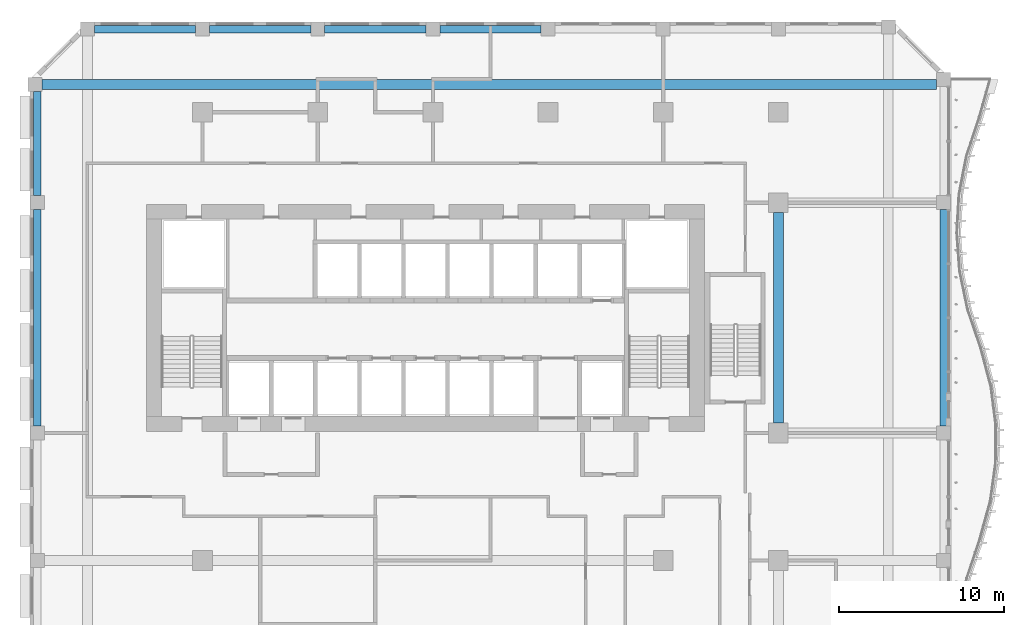
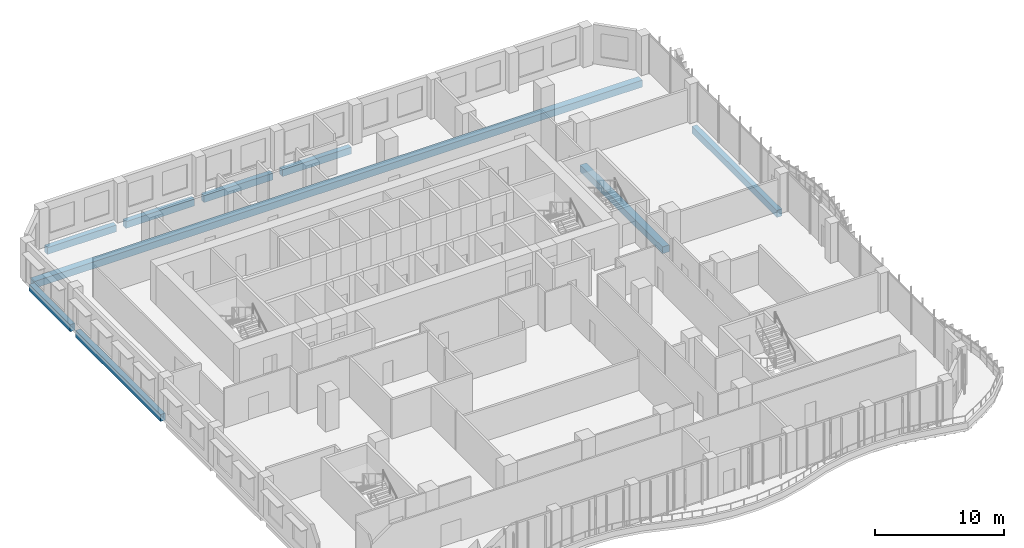
# One storey, part 7 of 26: 9 beams.
"""IFC4 building model written with IfcOpenShell, lengths in metres."""

import ifcopenshell
import ifcopenshell.guid

model = None  # the IFC model being written
_history = None  # IfcOwnerHistory: only IFC2X3 demands one
_inside = {}  # id of a spatial element -> (the spatial element, [elements in it])
_under = {}  # id of a project, library or spatial element -> (it, [spatial elements below it])
_declared = {}  # id of a project -> (the project, [libraries it declares])
_typed = {}  # id of a type object -> (the type object, [elements of that type])
_made_of = {}  # id of a material, layer set ... -> (it, [elements and type objects made of it])


def new_model(schema):
    """Start an empty IFC model of exactly this schema.

    Asked for "IFC4X3", IfcOpenShell would pick the latest addendum, in which some entities
    have other attributes; the version numbers below select the first issue.
    IFC2X3 requires an IfcOwnerHistory on every rooted entity: one is made here for all.
    """
    global model, _history
    if schema == "IFC4X3":
        model = ifcopenshell.file(schema_version=(4, 3, 0, 0))
    else:
        model = ifcopenshell.file(schema=schema)
    _inside.clear()
    _under.clear()
    _declared.clear()
    _typed.clear()
    _made_of.clear()
    _history = None
    if model.schema == "IFC2X3":
        org = make("IfcOrganization", Name="unknown")
        user = make(
            "IfcPersonAndOrganization",
            ThePerson=make("IfcPerson", FamilyName="unknown"),
            TheOrganization=org,
        )
        app = make(
            "IfcApplication",
            ApplicationDeveloper=org,
            Version="unknown",
            ApplicationFullName="unknown",
            ApplicationIdentifier="unknown",
        )
        _history = make(
            "IfcOwnerHistory",
            OwningUser=user,
            OwningApplication=app,
            ChangeAction="ADDED",
            CreationDate=0,
        )
    return model


def make(cls, **values):
    """One entity of the class cls with the attributes given. An attribute that is None is left unset."""
    return model.create_entity(
        cls, **{name: value for name, value in values.items() if value is not None}
    )


def rooted(cls, **values):
    """An entity with a GlobalId (a new one), such as an element, a storey or a relation."""
    return make(cls, GlobalId=ifcopenshell.guid.new(), OwnerHistory=_history, **values)


def si_unit(unit_type, name, prefix=None):
    """IfcSIUnit, for example si_unit("LENGTHUNIT", "METRE", prefix="MILLI")."""
    return make("IfcSIUnit", UnitType=unit_type, Prefix=prefix, Name=name)


def assignment(units):
    """IfcUnitAssignment: the units of a project."""
    return None if units is None else make("IfcUnitAssignment", Units=units)


def point(xyz):
    """IfcCartesianPoint."""
    return None if xyz is None else make("IfcCartesianPoint", Coordinates=xyz)


def direction(xyz):
    """IfcDirection."""
    return None if xyz is None else make("IfcDirection", DirectionRatios=xyz)


def frame(location, z_axis=None, x_axis=None):
    """IfcAxis2Placement3D, a coordinate frame: its origin and axes. An axis left out is left unset."""
    return make(
        "IfcAxis2Placement3D",
        Location=point(location),
        Axis=direction(z_axis),
        RefDirection=direction(x_axis),
    )


def frame_2d(location, x_axis=None):
    """IfcAxis2Placement2D, a coordinate frame in the plane: its origin and x axis."""
    return make(
        "IfcAxis2Placement2D", Location=point(location), RefDirection=direction(x_axis)
    )


def origin():
    """The frame at (0, 0, 0) with its axes left unset."""
    return frame((0.0, 0.0, 0.0))


def origin_2d():
    """The frame at (0, 0) in the plane with its x axis left unset."""
    return frame_2d((0.0, 0.0))


def place(relative_to, where):
    """IfcLocalPlacement: puts the frame where relative to a parent placement (None: the world)."""
    return make(
        "IfcLocalPlacement", PlacementRelTo=relative_to, RelativePlacement=where
    )


def context(
    kind, dimensions, precision=None, world=None, true_north=None, identifier=None
):
    """IfcGeometricRepresentationContext, for example the 3D "Model" context."""
    return make(
        "IfcGeometricRepresentationContext",
        ContextIdentifier=identifier,
        ContextType=kind,
        CoordinateSpaceDimension=dimensions,
        Precision=precision,
        WorldCoordinateSystem=world,
        TrueNorth=true_north,
    )


def subcontext(parent, identifier, kind, view, scale=None):
    """IfcGeometricRepresentationSubContext, for example "Body" below "Model"."""
    return make(
        "IfcGeometricRepresentationSubContext",
        ContextIdentifier=identifier,
        ContextType=kind,
        ParentContext=parent,
        TargetScale=scale,
        TargetView=view,
    )


def project(units=None, contexts=None):
    """IfcProject with its units and contexts."""
    return rooted(
        "IfcProject",
        Name="project",
        RepresentationContexts=contexts,
        UnitsInContext=assignment(units),
    )


def spatial(cls, under=None, at=None, **own):
    """A site, building, storey or space (cls), placed at a placement, below another one or the project."""
    s = rooted(cls, ObjectPlacement=at, **own)
    if under is not None:
        _under.setdefault(under.id(), (under, []))[1].append(s)
    return s


def profile(cls, at=None, kind="AREA", **sizes):
    """A parametric profile (cls). Its sizes go by their IFC names, for example OverallWidth=200.0."""
    return make(cls, ProfileType=kind, Position=at, **sizes)


def rectangle(**sizes):
    """IfcRectangleProfileDef."""
    return profile("IfcRectangleProfileDef", **sizes)


def extrude(swept, where, along, depth):
    """IfcExtrudedAreaSolid: the profile swept, set in the frame where, extruded along a direction by depth."""
    return make(
        "IfcExtrudedAreaSolid",
        SweptArea=swept,
        Position=where,
        ExtrudedDirection=direction(along),
        Depth=depth,
    )


def shape(context_of_items, identifier, shape_type, items):
    """IfcShapeRepresentation: the items that make up one representation, for example the "Body"."""
    return make(
        "IfcShapeRepresentation",
        ContextOfItems=context_of_items,
        RepresentationIdentifier=identifier,
        RepresentationType=shape_type,
        Items=items,
    )


def source(mapping_origin, context_of_items, identifier, shape_type, items):
    """IfcRepresentationMap: a shape defined once, which mapped items show again and again."""
    return make(
        "IfcRepresentationMap",
        MappingOrigin=mapping_origin,
        MappedRepresentation=shape(context_of_items, identifier, shape_type, items),
    )


def transform(
    local_origin,
    x_axis=None,
    y_axis=None,
    z_axis=None,
    scale=None,
    scale2=None,
    scale3=None,
    uniform=True,
):
    """IfcCartesianTransformationOperator3D, or its non-uniform kind. x_axis, y_axis, z_axis: its Axis1, 2, 3."""
    if uniform:
        return make(
            "IfcCartesianTransformationOperator3D",
            Axis1=direction(x_axis),
            Axis2=direction(y_axis),
            LocalOrigin=point(local_origin),
            Scale=scale,
            Axis3=direction(z_axis),
        )
    return make(
        "IfcCartesianTransformationOperator3DnonUniform",
        Axis1=direction(x_axis),
        Axis2=direction(y_axis),
        LocalOrigin=point(local_origin),
        Scale=scale,
        Axis3=direction(z_axis),
        Scale2=scale2,
        Scale3=scale3,
    )


def mapped(mapping_source, mapping_target):
    """IfcMappedItem: shows the shape of a source again, moved by a transform."""
    return make(
        "IfcMappedItem", MappingSource=mapping_source, MappingTarget=mapping_target
    )


def material(Name=None, Category=None):
    """IfcMaterial."""
    return make("IfcMaterial", Name=Name, Category=Category)


def material_profile(
    of_material, cross_section, Name=None, Category=None, Priority=None
):
    """IfcMaterialProfile: a cross section and its material."""
    return make(
        "IfcMaterialProfile",
        Name=Name,
        Material=of_material,
        Profile=cross_section,
        Priority=Priority,
        Category=Category,
    )


def profile_set(profiles, Name=None, composite=None):
    """IfcMaterialProfileSet."""
    return make(
        "IfcMaterialProfileSet",
        Name=Name,
        MaterialProfiles=profiles,
        CompositeProfile=composite,
    )


def made_of(thing, what):
    """Note that an element or type object is made of a material, layer set ...; save() writes the relation."""
    if what is not None:
        _made_of.setdefault(what.id(), (what, []))[1].append(thing)
    return thing


def type_object(cls, material=None, **own):
    """A type object (cls), such as IfcWallType, which elements share."""
    return made_of(rooted(cls, **own), material)


def element(
    cls,
    number,
    at=None,
    inside=None,
    cuts=None,
    type_object=None,
    material=None,
    context=None,
    identifier="Body",
    shape_type=None,
    held_by="IfcProductDefinitionShape",
    body=None,
    shapes=None,
    **own,
):
    """One element of the class cls, such as IfcWall. Its Tag is "e" and its number.

    at: its placement. inside: the storey or other place that contains it. cuts: it is an
    opening in that element (IfcRelVoidsElement). A single representation is given by context,
    identifier, shape_type and body (its items); several are given by shapes. held_by: the class
    of the entity that holds the representations. save() writes the other relations.
    """
    e = rooted(cls, Tag="e%d" % number, ObjectPlacement=at, **own)
    if body is not None:
        shapes = [shape(context, identifier, shape_type, body)]
    if shapes is not None:
        e.Representation = make(held_by, Representations=shapes)
    if inside is not None:
        _inside.setdefault(inside.id(), (inside, []))[1].append(e)
    if cuts is not None:
        rooted(
            "IfcRelVoidsElement", RelatingBuildingElement=cuts, RelatedOpeningElement=e
        )
    if type_object is not None:
        _typed.setdefault(type_object.id(), (type_object, []))[1].append(e)
    return made_of(e, material)


def aggregate(whole, parts):
    """IfcRelAggregates: a whole, such as a stair, and the parts it consists of."""
    return rooted("IfcRelAggregates", RelatingObject=whole, RelatedObjects=parts)


def save(model, path):
    """Write the relations noted so far, then the file.

    IfcRelAggregates (storeys below a building ...), IfcRelContainedInSpatialStructure (elements
    in a storey), IfcRelDefinesByType, IfcRelAssociatesMaterial and IfcRelDeclares: one each for
    every whole, place, type object, material and project.
    """
    for whole, parts in _under.values():
        aggregate(whole, parts)
    for where, things in _inside.values():
        rooted(
            "IfcRelContainedInSpatialStructure",
            RelatedElements=things,
            RelatingStructure=where,
        )
    for kind, things in _typed.values():
        rooted("IfcRelDefinesByType", RelatedObjects=things, RelatingType=kind)
    for what, things in _made_of.values():
        rooted("IfcRelAssociatesMaterial", RelatedObjects=things, RelatingMaterial=what)
    for by, libraries in _declared.values():
        rooted("IfcRelDeclares", RelatingContext=by, RelatedDefinitions=libraries)
    model.write(path)


model = new_model("IFC4")

# Units and contexts
model_context = context("Model", 3, precision=1e-05, world=origin(), true_north=direction((0.0, 1.0)))
body_context = subcontext(model_context, "Body", "Model", "MODEL_VIEW")
ifc_project = project(units=[si_unit("LENGTHUNIT", "METRE"), si_unit("AREAUNIT", "SQUARE_METRE"), si_unit("VOLUMEUNIT", "CUBIC_METRE"), si_unit("PLANEANGLEUNIT", "RADIAN"), si_unit("MASSUNIT", "GRAM", prefix="KILO")], contexts=[model_context])

# Site, building, storey
site_placement = place(None, origin())
site = spatial("IfcSite", under=ifc_project, at=site_placement, CompositionType="ELEMENT")
building_placement = place(site_placement, origin())
building = spatial("IfcBuilding", under=site, at=building_placement, Name="Kilnfold Tower and Market Hall", CompositionType="ELEMENT")
storey_placement = place(building_placement, frame((0.0, 0.0, 108.60009765625)))
storey = spatial("IfcBuildingStorey", under=building, at=storey_placement, Name="L25", CompositionType="ELEMENT", Elevation=108.60009765625)

# Beams
ifc_material_1 = material(Name="Concrete C45", Category="concrete")
ifc_material_profile_1 = material_profile(ifc_material_1, rectangle(XDim=0.449951171875, YDim=0.64990234375, at=origin_2d()), Name="RC 450x650")
ifc_profile_set_1 = profile_set([ifc_material_profile_1], Name="Concrete C45")
beam_type_1 = type_object("IfcBeamType", Name="EDGE BEAM 450X650 C45", PredefinedType="BEAM", material=ifc_profile_set_1)
shared_shape_1 = source(origin(), body_context, "Body", "SweptSolid", [
    extrude(rectangle(XDim=0.449951171875, YDim=0.64990234375, at=origin_2d()), origin(), (0.0, 0.0, 1.0), 6.14990234375),
])
for number, where, z_axis, x_axis, name in (
    (1, (-19.074951171875, 32.550048828125, -0.60498046875), (1.0, 0.0, 0.0), (0.0, 1.0, 0.0), "Beam EB650-B3.67"),
    (2, (-12.074951171875, 32.550048828125, -0.60498046875), (1.0, 0.0, 0.0), (0.0, 1.0, 0.0), "Beam EB650-B3.68"),
    (3, (-5.074951171875, 32.550048828125, -0.60498046875), (1.0, 0.0, 0.0), (0.0, 1.0, 0.0), "Beam EB650-B3.69"),
    (4, (1.925048828125, 32.550048828125, -0.60498046875), (1.0, 0.0, 0.0), (0.0, 1.0, 0.0), "Beam EB650-B3.70"),
):
    element("IfcBeam", number, at=place(storey_placement, frame(where, z_axis=z_axis, x_axis=x_axis)), inside=storey, type_object=beam_type_1, Name=name, PredefinedType="BEAM", context=body_context, shape_type="MappedRepresentation", body=[
        mapped(shared_shape_1, transform((0.0, 0.0, 0.0))),
    ])
ifc_material_2 = material(Name="Concrete C45", Category="concrete")
ifc_material_profile_2 = material_profile(ifc_material_2, rectangle(XDim=0.60009765625, YDim=0.64990234375, at=origin_2d()), Name="RC 600x650")
ifc_profile_set_2 = profile_set([ifc_material_profile_2], Name="Concrete C45")
beam_type_2 = type_object("IfcBeamType", Name="BEAM 600X650 C45", PredefinedType="BEAM", material=ifc_profile_set_2)
shared_shape_2 = source(origin(), body_context, "Body", "SweptSolid", [
    extrude(rectangle(XDim=0.60009765625, YDim=0.64990234375, at=origin_2d()), origin(), (0.0, 0.0, 1.0), 54.3818359375),
])
beam_1_placement = place(storey_placement, frame((-22.2568359375, 29.179931640625, -0.60498046875), z_axis=(1.0, 0.0, 0.0), x_axis=(0.0, 1.0, 0.0)))
element("IfcBeam", 5, at=beam_1_placement, inside=storey, type_object=beam_type_2, Name="Beam BB650-B3.66", PredefinedType="BEAM", context=body_context, shape_type="MappedRepresentation", body=[
    mapped(shared_shape_2, transform((0.0, 0.0, 0.0))),
])
shared_shape_3 = source(origin(), body_context, "Body", "SweptSolid", [
    extrude(rectangle(XDim=0.449951171875, YDim=0.64990234375, at=origin_2d()), origin(), (0.0, 0.0, 1.0), 13.14990234375),
])
for number, where, z_axis, x_axis, name in (
    (6, (-22.550048828125, 8.425048828125, -0.60498046875), (0.0, 1.0, 0.0), (-1.0, 0.0, 0.0), "Beam EB650-B3.77"),
    (7, (32.550048828125, 8.425048828125, -0.60498046875), (0.0, 1.0, 0.0), (-1.0, 0.0, 0.0), "Beam EB650-B3.86"),
):
    element("IfcBeam", number, at=place(storey_placement, frame(where, z_axis=z_axis, x_axis=x_axis)), inside=storey, type_object=beam_type_1, Name=name, PredefinedType="BEAM", context=body_context, shape_type="MappedRepresentation", body=[
        mapped(shared_shape_3, transform((0.0, 0.0, 0.0))),
    ])
shared_shape_4 = source(origin(), body_context, "Body", "SweptSolid", [
    extrude(rectangle(XDim=0.449951171875, YDim=0.64990234375, at=origin_2d()), origin(), (0.0, 0.0, 1.0), 6.331787109375),
])
beam_2_placement = place(storey_placement, frame((-22.550048828125, 22.425048828125, -0.60498046875), z_axis=(0.0, 1.0, 0.0), x_axis=(-1.0, 0.0, 0.0)))
element("IfcBeam", 8, at=beam_2_placement, inside=storey, type_object=beam_type_1, Name="Beam EB650-B3.78", PredefinedType="BEAM", context=body_context, shape_type="MappedRepresentation", body=[
    mapped(shared_shape_4, transform((0.0, 0.0, 0.0))),
])
shared_shape_5 = source(origin(), body_context, "Body", "SweptSolid", [
    extrude(rectangle(XDim=0.60009765625, YDim=0.64990234375, at=origin_2d()), origin(), (0.0, 0.0, 1.0), 12.7998046875),
])
beam_3_placement = place(storey_placement, frame((22.5, 8.60009765625, -0.60498046875), z_axis=(0.0, 1.0, 0.0), x_axis=(-1.0, 0.0, 0.0)))
element("IfcBeam", 9, at=beam_3_placement, inside=storey, type_object=beam_type_2, Name="Beam BB650-B3.81", PredefinedType="BEAM", context=body_context, shape_type="MappedRepresentation", body=[
    mapped(shared_shape_5, transform((0.0, 0.0, 0.0))),
])

save(model, "model.ifc")
